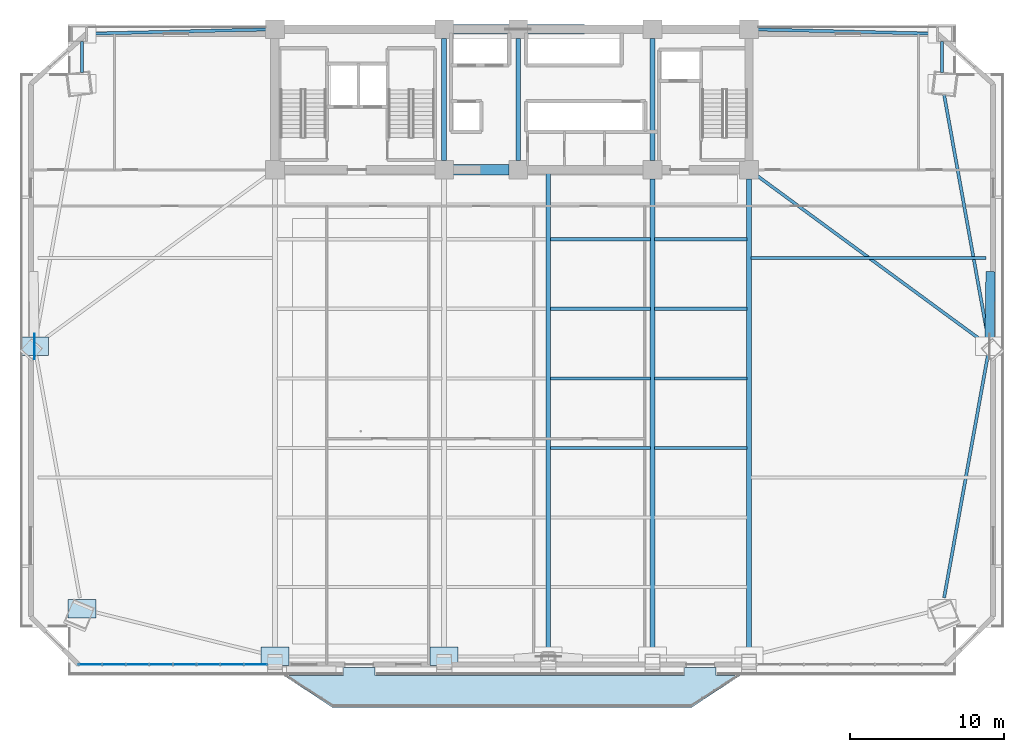
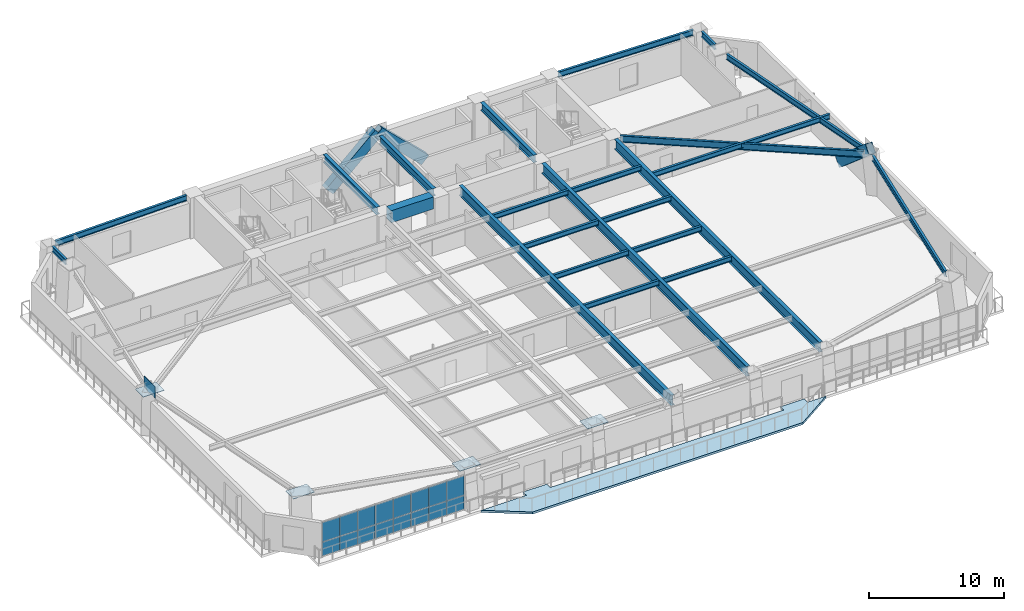
# One storey, part 6 of 16: 23 beams, 21 plates, 3 members, 1 slab, 1 element without a shape of its own.
"""IFC4 building model written with IfcOpenShell, lengths in metres."""

from ifc_helpers import new_model, si_unit, direction, frame, origin, origin_2d, place, context, subcontext, project, spatial, polyline, rectangle, hollow_rectangle, i_section, outline, extrude, source, transform, mapped, material, layer, layer_set, material_profile, profile_set, type_object, element, aggregate, save


model = new_model("IFC4")

# Units and contexts
model_context = context("Model", 3, precision=1e-05, world=origin(), true_north=direction((0.0, 1.0)))
body_context = subcontext(model_context, "Body", "Model", "MODEL_VIEW")
ifc_project = project(units=[si_unit("LENGTHUNIT", "METRE"), si_unit("AREAUNIT", "SQUARE_METRE"), si_unit("VOLUMEUNIT", "CUBIC_METRE"), si_unit("PLANEANGLEUNIT", "RADIAN"), si_unit("MASSUNIT", "GRAM", prefix="KILO")], contexts=[model_context])

# Site, building, storey
site_placement = place(None, origin())
site = spatial("IfcSite", under=ifc_project, at=site_placement, CompositionType="ELEMENT")
building_placement = place(site_placement, origin())
building = spatial("IfcBuilding", under=site, at=building_placement, Name="Giltprow Tower", CompositionType="ELEMENT")
storey_placement = place(building_placement, frame((0.0, 0.0, 83.5)))
storey = spatial("IfcBuildingStorey", under=building, at=storey_placement, Name="L20", CompositionType="ELEMENT", Elevation=83.5)

# Beams
ifc_material_1 = material(Name="Concrete C60", Category="concrete")
ifc_material_profile_1 = material_profile(ifc_material_1, rectangle(XDim=0.699951171875, YDim=1.10009765625, at=origin_2d()), Name="RC 1100x700")
ifc_profile_set_1 = profile_set([ifc_material_profile_1], Name="Concrete C60")
beam_type_1 = type_object("IfcBeamType", Name="BM-CPL-RC1100", PredefinedType="LINTEL", material=ifc_profile_set_1)
shared_shape_1 = source(origin(), body_context, "Body", "SweptSolid", [
    extrude(rectangle(XDim=0.699951171875, YDim=1.10009765625, at=origin_2d()), origin(), (0.0, 0.0, 1.0), 3.6298828125),
])
beam_1_placement = place(storey_placement, frame((31.385009765625, 37.449951171875, 3.1298828125), z_axis=(1.0, 0.0, 0.0), x_axis=(0.0, 1.0, 0.0)))
element("IfcBeam", 1, at=beam_1_placement, inside=storey, type_object=beam_type_1, Name="L20 Core Coupling Beam CB-1", PredefinedType="LINTEL", context=body_context, shape_type="MappedRepresentation", body=[
    mapped(shared_shape_1, transform((0.0, 0.0, 0.0), x_axis=(1.0, 0.0, 0.0), y_axis=(0.0, 1.0, 0.0), z_axis=(0.0, 0.0, 1.0), scale=1.0)),
])
ifc_material_2 = material(Name="Structural steel Q355B", Category="steel")
ifc_material_profile_2 = material_profile(ifc_material_2, i_section(OverallWidth=0.300048828125, OverallDepth=0.699951171875, WebThickness=0.012939453125, FlangeThickness=0.02392578125, at=origin_2d()), Name="HN 700x300x13x24")
ifc_profile_set_2 = profile_set([ifc_material_profile_2], Name="Structural steel Q355B")
beam_type_2 = type_object("IfcBeamType", Name="BM-GIRD-HN700", PredefinedType="BEAM", material=ifc_profile_set_2)
shared_shape_2 = source(origin(), body_context, "Body", "SweptSolid", [
    extrude(i_section(OverallWidth=0.300048828125, OverallDepth=0.699951171875, WebThickness=0.012939453125, FlangeThickness=0.02392578125, at=origin_2d()), origin(), (0.0, 0.0, 1.0), 7.93017578125),
])
for number, where, z_axis, x_axis, name in (
    (2, (30.800048828125, 38.034912109375, 3.330078125), (0.0, 1.0, 0.0), (-1.0, 0.0, 0.0), "L20 Core Tie Girder M1"),
    (3, (35.60009765625, 38.034912109375, 3.330078125), (0.0, 1.0, 0.0), (-1.0, 0.0, 0.0), "L20 Core Tie Girder M2"),
    (4, (44.300048828125, 38.034912109375, 3.330078125), (0.0, 1.0, 0.0), (-1.0, 0.0, 0.0), "L20 Core Tie Girder M3"),
):
    element("IfcBeam", number, at=place(storey_placement, frame(where, z_axis=z_axis, x_axis=x_axis)), inside=storey, type_object=beam_type_2, Name=name, PredefinedType="BEAM", context=body_context, shape_type="MappedRepresentation", body=[
        mapped(shared_shape_2, transform((0.0, 0.0, 0.0), x_axis=(1.0, 0.0, 0.0), y_axis=(0.0, 1.0, 0.0), z_axis=(0.0, 0.0, 1.0), scale=1.0)),
    ])
ifc_material_profile_3 = material_profile(ifc_material_2, i_section(OverallWidth=0.199951171875, OverallDepth=0.449951171875, WebThickness=0.009033203125, FlangeThickness=0.013916015625, at=origin_2d()), Name="HN 450x200x9x14")
ifc_profile_set_3 = profile_set([ifc_material_profile_3], Name="Structural steel Q355B")
beam_type_3 = type_object("IfcBeamType", Name="BM-JOIST-HN450", PredefinedType="JOIST", material=ifc_profile_set_3)
shared_shape_3 = source(origin(), body_context, "Body", "SweptSolid", [
    extrude(i_section(OverallWidth=0.199951171875, OverallDepth=0.449951171875, WebThickness=0.009033203125, FlangeThickness=0.013916015625, at=origin_2d()), origin(), (0.0, 0.0, 1.0), 6.4599609375),
])
for number, where, z_axis, x_axis, name in (
    (5, (37.695068359375, 19.44189453125, 3.455078125), (1.0, 0.0, 0.0), (0.0, 1.0, 0.0), "L20 Composite Floor Joist 3-3"),
    (6, (37.695068359375, 23.944091796875, 3.455078125), (1.0, 0.0, 0.0), (0.0, 1.0, 0.0), "L20 Composite Floor Joist 4-3"),
    (7, (37.695068359375, 28.446044921875, 3.455078125), (1.0, 0.0, 0.0), (0.0, 1.0, 0.0), "L20 Composite Floor Joist 5-3"),
    (8, (37.695068359375, 32.947998046875, 3.455078125), (1.0, 0.0, 0.0), (0.0, 1.0, 0.0), "L20 Composite Floor Joist 6-3"),
):
    element("IfcBeam", number, at=place(storey_placement, frame(where, z_axis=z_axis, x_axis=x_axis)), inside=storey, type_object=beam_type_3, Name=name, PredefinedType="JOIST", context=body_context, shape_type="MappedRepresentation", body=[
        mapped(shared_shape_3, transform((0.0, 0.0, 0.0), x_axis=(1.0, 0.0, 0.0), y_axis=(0.0, 1.0, 0.0), z_axis=(0.0, 0.0, 1.0), scale=1.0)),
    ])
shared_shape_4 = source(origin(), body_context, "Body", "SweptSolid", [
    extrude(i_section(OverallWidth=0.199951171875, OverallDepth=0.449951171875, WebThickness=0.009033203125, FlangeThickness=0.013916015625, at=origin_2d()), origin(), (0.0, 0.0, 1.0), 5.9599609375),
])
for number, where, z_axis, x_axis, name in (
    (9, (44.445068359375, 19.44189453125, 3.455078125), (1.0, 0.0, 0.0), (0.0, 1.0, 0.0), "L20 Composite Floor Joist 3-4"),
    (10, (44.445068359375, 23.944091796875, 3.455078125), (1.0, 0.0, 0.0), (0.0, 1.0, 0.0), "L20 Composite Floor Joist 4-4"),
    (11, (44.445068359375, 28.446044921875, 3.455078125), (1.0, 0.0, 0.0), (0.0, 1.0, 0.0), "L20 Composite Floor Joist 5-4"),
    (12, (44.445068359375, 32.947998046875, 3.455078125), (1.0, 0.0, 0.0), (0.0, 1.0, 0.0), "L20 Composite Floor Joist 6-4"),
):
    element("IfcBeam", number, at=place(storey_placement, frame(where, z_axis=z_axis, x_axis=x_axis)), inside=storey, type_object=beam_type_3, Name=name, PredefinedType="JOIST", context=body_context, shape_type="MappedRepresentation", body=[
        mapped(shared_shape_4, transform((0.0, 0.0, 0.0), x_axis=(1.0, 0.0, 0.0), y_axis=(0.0, 1.0, 0.0), z_axis=(0.0, 0.0, 1.0), scale=1.0)),
    ])
ifc_material_profile_4 = material_profile(ifc_material_2, i_section(OverallWidth=0.199951171875, OverallDepth=0.5, WebThickness=0.010009765625, FlangeThickness=0.01611328125, at=origin_2d()), Name="HN 500x200x10x16")
ifc_profile_set_4 = profile_set([ifc_material_profile_4], Name="Structural steel Q355B")
beam_type_4 = type_object("IfcBeamType", Name="BM-SPAN-HN500", PredefinedType="SPANDREL", material=ifc_profile_set_4)
shared_shape_5 = source(origin(), body_context, "Body", "SweptSolid", [
    extrude(i_section(OverallWidth=0.199951171875, OverallDepth=0.5, WebThickness=0.010009765625, FlangeThickness=0.01611328125, at=origin_2d()), origin(), (0.0, 0.0, 1.0), 16.0673828125),
])
beam_2_placement = place(storey_placement, frame((63.18701171875, 9.72900390625, 3.429931640625), z_axis=(0.177566852067, 0.984108740459, 0.0), x_axis=(-0.984108740459, 0.177566852067, 0.0)))
element("IfcBeam", 13, at=beam_2_placement, inside=storey, type_object=beam_type_4, Name="L20 Perimeter Spandrel Beam MC_SE-E_MID", PredefinedType="SPANDREL", context=body_context, shape_type="MappedRepresentation", body=[
    mapped(shared_shape_5, transform((0.0, 0.0, 0.0), x_axis=(1.0, 0.0, 0.0), y_axis=(0.0, 1.0, 0.0), z_axis=(0.0, 0.0, 1.0), scale=1.0)),
])
shared_shape_6 = source(origin(), body_context, "Body", "SweptSolid", [
    extrude(i_section(OverallWidth=0.199951171875, OverallDepth=0.5, WebThickness=0.010009765625, FlangeThickness=0.01611328125, at=origin_2d()), origin(), (0.0, 0.0, 1.0), 16.067138671875),
])
beam_3_placement = place(storey_placement, frame((66.0400390625, 26.4951171875, 3.429931640625), z_axis=(-0.177569507329, 0.984108261355, 0.0), x_axis=(-0.984108261355, -0.177569507329, 0.0)))
element("IfcBeam", 14, at=beam_3_placement, inside=storey, type_object=beam_type_4, Name="L20 Perimeter Spandrel Beam E_MID-MC_NE", PredefinedType="SPANDREL", context=body_context, shape_type="MappedRepresentation", body=[
    mapped(shared_shape_6, transform((0.0, 0.0, 0.0), x_axis=(1.0, 0.0, 0.0), y_axis=(0.0, 1.0, 0.0), z_axis=(0.0, 0.0, 1.0), scale=1.0)),
])
shared_shape_7 = source(origin(), body_context, "Body", "SweptSolid", [
    extrude(i_section(OverallWidth=0.199951171875, OverallDepth=0.5, WebThickness=0.010009765625, FlangeThickness=0.01611328125, at=origin_2d()), origin(), (0.0, 0.0, 1.0), 2.0),
])
for number, where, z_axis, x_axis, name in (
    (15, (63.055908203125, 43.764892578125, 3.429931640625), (0.0, 1.0, 0.0), (-1.0, 0.0, 0.0), "L20 Perimeter Spandrel Beam MC_NE-N_E"),
    (16, (7.344970703125, 45.764892578125, 3.429931640625), (0.0, -1.0, 0.0), (1.0, 0.0, 0.0), "L20 Perimeter Spandrel Beam N_W-MC_NW"),
):
    element("IfcBeam", number, at=place(storey_placement, frame(where, z_axis=z_axis, x_axis=x_axis)), inside=storey, type_object=beam_type_4, Name=name, PredefinedType="SPANDREL", context=body_context, shape_type="MappedRepresentation", body=[
        mapped(shared_shape_7, transform((0.0, 0.0, 0.0), x_axis=(1.0, 0.0, 0.0), y_axis=(0.0, 1.0, 0.0), z_axis=(0.0, 0.0, 1.0), scale=1.0)),
    ])
shared_shape_8 = source(origin(), body_context, "Body", "SweptSolid", [
    extrude(i_section(OverallWidth=0.199951171875, OverallDepth=0.5, WebThickness=0.010009765625, FlangeThickness=0.01611328125, at=origin_2d()), origin(), (0.0, 0.0, 1.0), 11.43798828125),
])
beam_4_placement = place(storey_placement, frame((7.830078125, 46.261962890625, 3.429931640625), z_axis=(0.999713192365, 0.023948549263, 0.0), x_axis=(-0.023948549263, 0.999713192365, 0.0)))
element("IfcBeam", 17, at=beam_4_placement, inside=storey, type_object=beam_type_4, Name="L20 North Wing Spandrel W", PredefinedType="SPANDREL", context=body_context, shape_type="MappedRepresentation", body=[
    mapped(shared_shape_8, transform((0.0, 0.0, 0.0), x_axis=(1.0, 0.0, 0.0), y_axis=(0.0, 1.0, 0.0), z_axis=(0.0, 0.0, 1.0), scale=1.0)),
])
shared_shape_9 = source(origin(), body_context, "Body", "SweptSolid", [
    extrude(i_section(OverallWidth=0.199951171875, OverallDepth=0.5, WebThickness=0.010009765625, FlangeThickness=0.01611328125, at=origin_2d()), origin(), (0.0, 0.0, 1.0), 11.439208984375),
])
beam_5_placement = place(storey_placement, frame((51.135009765625, 46.535888671875, 3.429931640625), z_axis=(0.999713253564, -0.023945994417, 0.0), x_axis=(0.023945994417, 0.999713253564, 0.0)))
element("IfcBeam", 18, at=beam_5_placement, inside=storey, type_object=beam_type_4, Name="L20 North Wing Spandrel E", PredefinedType="SPANDREL", context=body_context, shape_type="MappedRepresentation", body=[
    mapped(shared_shape_9, transform((0.0, 0.0, 0.0), x_axis=(1.0, 0.0, 0.0), y_axis=(0.0, 1.0, 0.0), z_axis=(0.0, 0.0, 1.0), scale=1.0)),
])
ifc_material_profile_5 = material_profile(ifc_material_2, i_section(OverallWidth=0.300048828125, OverallDepth=0.89990234375, WebThickness=0.01611328125, FlangeThickness=0.028076171875, at=origin_2d()), Name="HN 900x300x16x28")
ifc_profile_set_5 = profile_set([ifc_material_profile_5], Name="Structural steel Q355B")
beam_type_5 = type_object("IfcBeamType", Name="BM-GIRD-HN900", PredefinedType="BEAM", material=ifc_profile_set_5)
shared_shape_10 = source(origin(), body_context, "Body", "SweptSolid", [
    extrude(i_section(OverallWidth=0.300048828125, OverallDepth=0.89990234375, WebThickness=0.01611328125, FlangeThickness=0.028076171875, at=origin_2d()), origin(), (0.0, 0.0, 1.0), 30.444091796875),
])
for number, where, z_axis, x_axis, name in (
    (19, (44.300048828125, 6.4208984375, 3.22998046875), (0.0, 1.0, 0.0), (-1.0, 0.0, 0.0), "L20 Primary Lease Girder S3"),
    (20, (50.550048828125, 6.4208984375, 3.22998046875), (0.0, 1.0, 0.0), (-1.0, 0.0, 0.0), "L20 Primary Lease Girder S4"),
):
    element("IfcBeam", number, at=place(storey_placement, frame(where, z_axis=z_axis, x_axis=x_axis)), inside=storey, type_object=beam_type_5, Name=name, PredefinedType="BEAM", context=body_context, shape_type="MappedRepresentation", body=[
        mapped(shared_shape_10, transform((0.0, 0.0, 0.0), x_axis=(1.0, 0.0, 0.0), y_axis=(0.0, 1.0, 0.0), z_axis=(0.0, 0.0, 1.0), scale=1.0)),
    ])
shared_shape_11 = source(origin(), body_context, "Body", "SweptSolid", [
    extrude(i_section(OverallWidth=0.300048828125, OverallDepth=0.89990234375, WebThickness=0.01611328125, FlangeThickness=0.028076171875, at=origin_2d()), origin(), (0.0, 0.0, 1.0), 31.513916015625),
])
beam_6_placement = place(storey_placement, frame((37.550048828125, 5.93603515625, 3.22998046875), z_axis=(0.0, 1.0, 0.0), x_axis=(-1.0, 0.0, 0.0)))
element("IfcBeam", 21, at=beam_6_placement, inside=storey, type_object=beam_type_5, Name="L20 Central Lease Girder SMID", PredefinedType="BEAM", context=body_context, shape_type="MappedRepresentation", body=[
    mapped(shared_shape_11, transform((0.0, 0.0, 0.0), x_axis=(1.0, 0.0, 0.0), y_axis=(0.0, 1.0, 0.0), z_axis=(0.0, 0.0, 1.0), scale=1.0)),
])
ifc_material_profile_6 = material_profile(ifc_material_2, i_section(OverallWidth=0.199951171875, OverallDepth=0.60009765625, WebThickness=0.010986328125, FlangeThickness=0.01708984375, at=origin_2d()), Name="HN 600x200x11x17")
ifc_profile_set_6 = profile_set([ifc_material_profile_6], Name="Structural steel Q355B")
beam_type_6 = type_object("IfcBeamType", Name="BM-GIRD-HN600", PredefinedType="BEAM", material=ifc_profile_set_6)
shared_shape_12 = source(origin(), body_context, "Body", "SweptSolid", [
    extrude(i_section(OverallWidth=0.199951171875, OverallDepth=0.60009765625, WebThickness=0.010986328125, FlangeThickness=0.01708984375, at=origin_2d()), origin(), (0.0, 0.0, 1.0), 18.2509765625),
])
beam_7_placement = place(storey_placement, frame((65.735107421875, 26.304931640625, 3.3798828125), z_axis=(-0.806158265138, 0.591699967508, 0.0), x_axis=(-0.591699967508, -0.806158265138, 0.0)))
element("IfcBeam", 22, at=beam_7_placement, inside=storey, type_object=beam_type_6, Name="L20 East Wing Primary Girder", PredefinedType="BEAM", context=body_context, shape_type="MappedRepresentation", body=[
    mapped(shared_shape_12, transform((0.0, 0.0, 0.0), x_axis=(1.0, 0.0, 0.0), y_axis=(0.0, 1.0, 0.0), z_axis=(0.0, 0.0, 1.0), scale=1.0)),
])
shared_shape_13 = source(origin(), body_context, "Body", "SweptSolid", [
    extrude(i_section(OverallWidth=0.199951171875, OverallDepth=0.449951171875, WebThickness=0.009033203125, FlangeThickness=0.013916015625, at=origin_2d()), origin(), (0.0, 0.0, 1.0), 15.2109375),
])
beam_8_placement = place(storey_placement, frame((50.695068359375, 31.73388671875, 3.455078125), z_axis=(1.0, 0.0, 0.0), x_axis=(0.0, 1.0, 0.0)))
element("IfcBeam", 23, at=beam_8_placement, inside=storey, type_object=beam_type_3, Name="L20 East Wing Floor Joist 2", PredefinedType="JOIST", context=body_context, shape_type="MappedRepresentation", body=[
    mapped(shared_shape_13, transform((0.0, 0.0, 0.0), x_axis=(1.0, 0.0, 0.0), y_axis=(0.0, 1.0, 0.0), z_axis=(0.0, 0.0, 1.0), scale=1.0)),
])

# Members
ifc_material_3 = material(Name="Structural steel Q420GJC", Category="steel")
ifc_material_profile_7 = material_profile(ifc_material_3, hollow_rectangle(XDim=0.60009765625, YDim=0.89990234375, WallThickness=0.0400390625, at=origin_2d()), Name="RHS 900x600x40")
ifc_profile_set_7 = profile_set([ifc_material_profile_7], Name="Structural steel Q420GJC")
member_type = type_object("IfcMemberType", Name="MBR-MEGA-RHS900", PredefinedType="BRACE", material=ifc_profile_set_7)
shared_shape_14 = source(origin(), body_context, "Body", "SweptSolid", [
    extrude(hollow_rectangle(XDim=0.60009765625, YDim=0.89990234375, WallThickness=0.0400390625, at=origin_2d()), origin(), (0.0, 0.0, 1.0), 5.736572265625),
])
member_1_placement = place(storey_placement, frame((31.39306640625, 46.550048828125, -0.139892578125), z_axis=(0.733369227224, 0.0, 0.679830549888), x_axis=(0.0, 1.0, 0.0)))
element("IfcMember", 24, at=member_1_placement, inside=storey, type_object=member_type, Name="L20 Chevron Mega-Brace N-L", PredefinedType="BRACE", context=body_context, shape_type="MappedRepresentation", body=[
    mapped(shared_shape_14, transform((0.0, 0.0, 0.0), x_axis=(1.0, 0.0, 0.0), y_axis=(0.0, 1.0, 0.0), z_axis=(0.0, 0.0, 1.0), scale=1.0)),
])
shared_shape_15 = source(origin(), body_context, "Body", "SweptSolid", [
    extrude(hollow_rectangle(XDim=0.60009765625, YDim=0.89990234375, WallThickness=0.0400390625, at=origin_2d()), origin(), (0.0, 0.0, 1.0), 5.58154296875),
])
member_2_placement = place(storey_placement, frame((39.593017578125, 46.550048828125, -0.139892578125), z_axis=(-0.715390416498, 0.0, 0.698724947303), x_axis=(0.0, -1.0, 0.0)))
element("IfcMember", 25, at=member_2_placement, inside=storey, type_object=member_type, Name="L20 Chevron Mega-Brace N-R", PredefinedType="BRACE", context=body_context, shape_type="MappedRepresentation", body=[
    mapped(shared_shape_15, transform((0.0, 0.0, 0.0), x_axis=(1.0, 0.0, 0.0), y_axis=(0.0, 1.0, 0.0), z_axis=(0.0, 0.0, 1.0), scale=1.0)),
])
shared_shape_16 = source(origin(), body_context, "Body", "SweptSolid", [
    extrude(hollow_rectangle(XDim=0.60009765625, YDim=0.89990234375, WallThickness=0.0400390625, at=origin_2d()), origin(), (0.0, 0.0, 1.0), 5.98291015625),
])
member_3_placement = place(storey_placement, frame((66.18896484375, 30.554931640625, 0.0), z_axis=(-0.010527866597, -0.758292034762, 0.651830003944), x_axis=(0.999903635964, -0.013882319221, 0.0)))
element("IfcMember", 26, at=member_3_placement, inside=storey, type_object=member_type, Name="L20 Chevron Mega-Brace E-R", PredefinedType="BRACE", context=body_context, shape_type="MappedRepresentation", body=[
    mapped(shared_shape_16, transform((0.0, 0.0, 0.0), x_axis=(1.0, 0.0, 0.0), y_axis=(0.0, 1.0, 0.0), z_axis=(0.0, 0.0, 1.0), scale=1.0)),
])

# Slab
ifc_material_4 = material(Name="Concrete C40", Category="concrete")
ifc_layer_1 = layer(ifc_material_4, 0.199951171875, Name="Concrete C40")
ifc_layer_set_1 = layer_set([ifc_layer_1], Name="Concrete C40")
slab_type = type_object("IfcSlabType", Name="SLB-BALC-BRONZE-200", PredefinedType="FLOOR", material=ifc_layer_set_1)
slab_placement = place(storey_placement, frame((0.0, 0.0, -0.199951171875)))
element("IfcSlab", 27, at=slab_placement, inside=storey, type_object=slab_type, Name="L20 Bronze Prow Waterfront Balcony Slab", PredefinedType="FLOOR", context=body_context, shape_type="SweptSolid", body=[
    extrude(outline(polyline([(50.0, 4.708984375), (46.800048828125, 2.60888671875), (23.60009765625, 2.60888671875), (20.39990234375, 4.708984375), (24.280029296875, 4.708984375), (24.280029296875, 5.208984375), (26.320068359375, 5.208984375), (26.320068359375, 4.708984375), (46.3798828125, 4.708984375), (46.3798828125, 5.208984375), (48.419921875, 5.208984375), (48.419921875, 4.708984375), (50.0, 4.708984375)])), origin(), (0.0, 0.0, 1.0), 0.199951171875),
])

# Plates
plate_type_1 = type_object("IfcPlateType", Name="PLT-NODE-CKN1", PredefinedType="USERDEFINED", material=ifc_material_3)
shared_shape_17 = source(origin(), body_context, "Body", "SweptSolid", [
    extrude(rectangle(XDim=1.800048828125, YDim=1.199951171875, at=origin_2d()), origin(), (0.0, 0.0, 1.0), 0.044921875),
])
for number, where, z_axis, x_axis, name in (
    (28, (7.344970703125, 9.006103515625, 3.637451171875), (0.0, 0.0, 1.0), (1.0, 0.0, 0.0), "CKN1 Column Taper Splice Node L20-MC_SW"),
    (29, (19.85009765625, 5.93603515625, 3.637451171875), (0.0, 0.0, 1.0), (1.0, 0.0, 0.0), "CKN1 Column Taper Splice Node L20-S1"),
    (30, (30.800048828125, 5.93603515625, 3.637451171875), (0.0, 0.0, 1.0), (1.0, 0.0, 0.0), "CKN1 Column Taper Splice Node L20-S2"),
    (31, (4.27490234375, 26.01806640625, 3.637451171875), (0.0, 0.0, 1.0), (1.0, 0.0, 0.0), "CKN1 Column Taper Splice Node L20-W_MID"),
):
    element("IfcPlate", number, at=place(storey_placement, frame(where, z_axis=z_axis, x_axis=x_axis)), inside=storey, type_object=plate_type_1, Name=name, ObjectType="SPLICE", PredefinedType="USERDEFINED", context=body_context, shape_type="MappedRepresentation", body=[
        mapped(shared_shape_17, transform((0.0, 0.0, 0.0), x_axis=(1.0, 0.0, 0.0), y_axis=(0.0, 1.0, 0.0), z_axis=(0.0, 0.0, 1.0), scale=1.0)),
    ])
plate_type_2 = type_object("IfcPlateType", Name="PLT-NODE-MBN2", PredefinedType="USERDEFINED", material=ifc_material_3)
shared_shape_18 = source(origin(), body_context, "Body", "SweptSolid", [
    extrude(rectangle(XDim=1.64990234375, YDim=0.044921875, at=origin_2d()), origin(), (0.0, 0.0, 1.0), 1.050048828125),
])
plate_1_placement = place(storey_placement, frame((4.27490234375, 26.01806640625, 3.375), z_axis=(0.0, 0.0, 1.0), x_axis=(0.0, 1.0, 0.0)))
element("IfcPlate", 32, at=plate_1_placement, inside=storey, type_object=plate_type_2, Name="Mega-Brace Node L20-W-RB", ObjectType="GUSSET", PredefinedType="USERDEFINED", context=body_context, shape_type="MappedRepresentation", body=[
    mapped(shared_shape_18, transform((0.0, 0.0, 0.0), x_axis=(1.0, 0.0, 0.0), y_axis=(0.0, 1.0, 0.0), z_axis=(0.0, 0.0, 1.0), scale=1.0)),
])

# Curtain wall, plates
ifc_material_5 = material(Name="Anodized bronze", Category="metal")
ifc_layer_2 = layer(ifc_material_5, 0.179931640625, Name="Anodized bronze")
ifc_layer_set_2 = layer_set([ifc_layer_2], Name="Anodized bronze")
curtain_wall_type = type_object("IfcCurtainWallType", Name="CW-OFF-RECESSED", PredefinedType="NOTDEFINED", material=ifc_layer_set_2)
curtain_wall_placement = place(storey_placement, origin())
curtain_wall = element("IfcCurtainWall", 33, at=curtain_wall_placement, inside=storey, type_object=curtain_wall_type, Name="L20 South Recessed Curtain Wall 1", PredefinedType="NOTDEFINED")
ifc_material_6 = material(Name="Insulated glass", Category="glass")
plate_type_3 = type_object("IfcPlateType", Name="CW-PANEL-IGU-28", PredefinedType="CURTAIN_PANEL", material=ifc_material_6)
shared_shape_19 = source(origin(), body_context, "Body", "SweptSolid", [
    extrude(rectangle(XDim=1.4970703125, YDim=0.028076171875, at=origin_2d()), origin(), (0.0, 0.0, 1.0), 1.259033203125),
])
plate_2_placement = place(storey_placement, frame((7.89892578125, 5.408935546875, 0.0546875), z_axis=(0.0, 0.0, 1.0), x_axis=(1.0, 0.0, 0.0)))
plate_2 = element("IfcPlate", 34, at=plate_2_placement, type_object=plate_type_3, Name="L20 South Recessed Curtain Wall 1 Glazing Panel 1-1", PredefinedType="CURTAIN_PANEL", context=body_context, shape_type="MappedRepresentation", body=[
    mapped(shared_shape_19, transform((0.0, 0.0, 0.0), x_axis=(1.0, 0.0, 0.0), y_axis=(0.0, 1.0, 0.0), z_axis=(0.0, 0.0, 1.0), scale=1.0)),
])
plate_3_placement = place(storey_placement, frame((9.426025390625, 5.408935546875, 0.0546875), z_axis=(0.0, 0.0, 1.0), x_axis=(1.0, 0.0, 0.0)))
plate_3 = element("IfcPlate", 35, at=plate_3_placement, type_object=plate_type_3, Name="L20 South Recessed Curtain Wall 1 Glazing Panel 2-1", PredefinedType="CURTAIN_PANEL", context=body_context, shape_type="MappedRepresentation", body=[
    mapped(shared_shape_19, transform((0.0, 0.0, 0.0), x_axis=(1.0, 0.0, 0.0), y_axis=(0.0, 1.0, 0.0), z_axis=(0.0, 0.0, 1.0), scale=1.0)),
])
plate_4_placement = place(storey_placement, frame((10.952880859375, 5.408935546875, 0.0546875), z_axis=(0.0, 0.0, 1.0), x_axis=(1.0, 0.0, 0.0)))
plate_4 = element("IfcPlate", 36, at=plate_4_placement, type_object=plate_type_3, Name="L20 South Recessed Curtain Wall 1 Glazing Panel 3-1", PredefinedType="CURTAIN_PANEL", context=body_context, shape_type="MappedRepresentation", body=[
    mapped(shared_shape_19, transform((0.0, 0.0, 0.0), x_axis=(1.0, 0.0, 0.0), y_axis=(0.0, 1.0, 0.0), z_axis=(0.0, 0.0, 1.0), scale=1.0)),
])
plate_5_placement = place(storey_placement, frame((12.47998046875, 5.408935546875, 0.0546875), z_axis=(0.0, 0.0, 1.0), x_axis=(1.0, 0.0, 0.0)))
plate_5 = element("IfcPlate", 37, at=plate_5_placement, type_object=plate_type_3, Name="L20 South Recessed Curtain Wall 1 Glazing Panel 4-1", PredefinedType="CURTAIN_PANEL", context=body_context, shape_type="MappedRepresentation", body=[
    mapped(shared_shape_19, transform((0.0, 0.0, 0.0), x_axis=(1.0, 0.0, 0.0), y_axis=(0.0, 1.0, 0.0), z_axis=(0.0, 0.0, 1.0), scale=1.0)),
])
plate_6_placement = place(storey_placement, frame((14.006103515625, 5.408935546875, 0.0546875), z_axis=(0.0, 0.0, 1.0), x_axis=(1.0, 0.0, 0.0)))
plate_6 = element("IfcPlate", 38, at=plate_6_placement, type_object=plate_type_3, Name="L20 South Recessed Curtain Wall 1 Glazing Panel 5-1", PredefinedType="CURTAIN_PANEL", context=body_context, shape_type="MappedRepresentation", body=[
    mapped(shared_shape_19, transform((0.0, 0.0, 0.0), x_axis=(1.0, 0.0, 0.0), y_axis=(0.0, 1.0, 0.0), z_axis=(0.0, 0.0, 1.0), scale=1.0)),
])
plate_7_placement = place(storey_placement, frame((15.532958984375, 5.408935546875, 0.0546875), z_axis=(0.0, 0.0, 1.0), x_axis=(1.0, 0.0, 0.0)))
plate_7 = element("IfcPlate", 39, at=plate_7_placement, type_object=plate_type_3, Name="L20 South Recessed Curtain Wall 1 Glazing Panel 6-1", PredefinedType="CURTAIN_PANEL", context=body_context, shape_type="MappedRepresentation", body=[
    mapped(shared_shape_19, transform((0.0, 0.0, 0.0), x_axis=(1.0, 0.0, 0.0), y_axis=(0.0, 1.0, 0.0), z_axis=(0.0, 0.0, 1.0), scale=1.0)),
])
plate_8_placement = place(storey_placement, frame((17.06005859375, 5.408935546875, 0.0546875), z_axis=(0.0, 0.0, 1.0), x_axis=(1.0, 0.0, 0.0)))
plate_8 = element("IfcPlate", 40, at=plate_8_placement, type_object=plate_type_3, Name="L20 South Recessed Curtain Wall 1 Glazing Panel 7-1", PredefinedType="CURTAIN_PANEL", context=body_context, shape_type="MappedRepresentation", body=[
    mapped(shared_shape_19, transform((0.0, 0.0, 0.0), x_axis=(1.0, 0.0, 0.0), y_axis=(0.0, 1.0, 0.0), z_axis=(0.0, 0.0, 1.0), scale=1.0)),
])
plate_9_placement = place(storey_placement, frame((18.5869140625, 5.408935546875, 0.0546875), z_axis=(0.0, 0.0, 1.0), x_axis=(1.0, 0.0, 0.0)))
plate_9 = element("IfcPlate", 41, at=plate_9_placement, type_object=plate_type_3, Name="L20 South Recessed Curtain Wall 1 Glazing Panel 8-1", PredefinedType="CURTAIN_PANEL", context=body_context, shape_type="MappedRepresentation", body=[
    mapped(shared_shape_19, transform((0.0, 0.0, 0.0), x_axis=(1.0, 0.0, 0.0), y_axis=(0.0, 1.0, 0.0), z_axis=(0.0, 0.0, 1.0), scale=1.0)),
])
shared_shape_20 = source(origin(), body_context, "Body", "SweptSolid", [
    extrude(rectangle(XDim=1.4970703125, YDim=0.028076171875, at=origin_2d()), origin(), (0.0, 0.0, 1.0), 1.764892578125),
])
plate_10_placement = place(storey_placement, frame((7.89892578125, 5.408935546875, 1.341796875), z_axis=(0.0, 0.0, 1.0), x_axis=(1.0, 0.0, 0.0)))
plate_10 = element("IfcPlate", 42, at=plate_10_placement, type_object=plate_type_3, Name="L20 South Recessed Curtain Wall 1 Glazing Panel 1-2", PredefinedType="CURTAIN_PANEL", context=body_context, shape_type="MappedRepresentation", body=[
    mapped(shared_shape_20, transform((0.0, 0.0, 0.0), x_axis=(1.0, 0.0, 0.0), y_axis=(0.0, 1.0, 0.0), z_axis=(0.0, 0.0, 1.0), scale=1.0)),
])
plate_11_placement = place(storey_placement, frame((9.426025390625, 5.408935546875, 1.341796875), z_axis=(0.0, 0.0, 1.0), x_axis=(1.0, 0.0, 0.0)))
plate_11 = element("IfcPlate", 43, at=plate_11_placement, type_object=plate_type_3, Name="L20 South Recessed Curtain Wall 1 Glazing Panel 2-2", PredefinedType="CURTAIN_PANEL", context=body_context, shape_type="MappedRepresentation", body=[
    mapped(shared_shape_20, transform((0.0, 0.0, 0.0), x_axis=(1.0, 0.0, 0.0), y_axis=(0.0, 1.0, 0.0), z_axis=(0.0, 0.0, 1.0), scale=1.0)),
])
plate_12_placement = place(storey_placement, frame((10.952880859375, 5.408935546875, 1.341796875), z_axis=(0.0, 0.0, 1.0), x_axis=(1.0, 0.0, 0.0)))
plate_12 = element("IfcPlate", 44, at=plate_12_placement, type_object=plate_type_3, Name="L20 South Recessed Curtain Wall 1 Glazing Panel 3-2", PredefinedType="CURTAIN_PANEL", context=body_context, shape_type="MappedRepresentation", body=[
    mapped(shared_shape_20, transform((0.0, 0.0, 0.0), x_axis=(1.0, 0.0, 0.0), y_axis=(0.0, 1.0, 0.0), z_axis=(0.0, 0.0, 1.0), scale=1.0)),
])
plate_13_placement = place(storey_placement, frame((12.47998046875, 5.408935546875, 1.341796875), z_axis=(0.0, 0.0, 1.0), x_axis=(1.0, 0.0, 0.0)))
plate_13 = element("IfcPlate", 45, at=plate_13_placement, type_object=plate_type_3, Name="L20 South Recessed Curtain Wall 1 Glazing Panel 4-2", PredefinedType="CURTAIN_PANEL", context=body_context, shape_type="MappedRepresentation", body=[
    mapped(shared_shape_20, transform((0.0, 0.0, 0.0), x_axis=(1.0, 0.0, 0.0), y_axis=(0.0, 1.0, 0.0), z_axis=(0.0, 0.0, 1.0), scale=1.0)),
])
plate_14_placement = place(storey_placement, frame((14.006103515625, 5.408935546875, 1.341796875), z_axis=(0.0, 0.0, 1.0), x_axis=(1.0, 0.0, 0.0)))
plate_14 = element("IfcPlate", 46, at=plate_14_placement, type_object=plate_type_3, Name="L20 South Recessed Curtain Wall 1 Glazing Panel 5-2", PredefinedType="CURTAIN_PANEL", context=body_context, shape_type="MappedRepresentation", body=[
    mapped(shared_shape_20, transform((0.0, 0.0, 0.0), x_axis=(1.0, 0.0, 0.0), y_axis=(0.0, 1.0, 0.0), z_axis=(0.0, 0.0, 1.0), scale=1.0)),
])
plate_15_placement = place(storey_placement, frame((15.532958984375, 5.408935546875, 1.341796875), z_axis=(0.0, 0.0, 1.0), x_axis=(1.0, 0.0, 0.0)))
plate_15 = element("IfcPlate", 47, at=plate_15_placement, type_object=plate_type_3, Name="L20 South Recessed Curtain Wall 1 Glazing Panel 6-2", PredefinedType="CURTAIN_PANEL", context=body_context, shape_type="MappedRepresentation", body=[
    mapped(shared_shape_20, transform((0.0, 0.0, 0.0), x_axis=(1.0, 0.0, 0.0), y_axis=(0.0, 1.0, 0.0), z_axis=(0.0, 0.0, 1.0), scale=1.0)),
])
plate_16_placement = place(storey_placement, frame((17.06005859375, 5.408935546875, 1.341796875), z_axis=(0.0, 0.0, 1.0), x_axis=(1.0, 0.0, 0.0)))
plate_16 = element("IfcPlate", 48, at=plate_16_placement, type_object=plate_type_3, Name="L20 South Recessed Curtain Wall 1 Glazing Panel 7-2", PredefinedType="CURTAIN_PANEL", context=body_context, shape_type="MappedRepresentation", body=[
    mapped(shared_shape_20, transform((0.0, 0.0, 0.0), x_axis=(1.0, 0.0, 0.0), y_axis=(0.0, 1.0, 0.0), z_axis=(0.0, 0.0, 1.0), scale=1.0)),
])
plate_17_placement = place(storey_placement, frame((18.5869140625, 5.408935546875, 1.341796875), z_axis=(0.0, 0.0, 1.0), x_axis=(1.0, 0.0, 0.0)))
plate_17 = element("IfcPlate", 49, at=plate_17_placement, type_object=plate_type_3, Name="L20 South Recessed Curtain Wall 1 Glazing Panel 8-2", PredefinedType="CURTAIN_PANEL", context=body_context, shape_type="MappedRepresentation", body=[
    mapped(shared_shape_20, transform((0.0, 0.0, 0.0), x_axis=(1.0, 0.0, 0.0), y_axis=(0.0, 1.0, 0.0), z_axis=(0.0, 0.0, 1.0), scale=1.0)),
])
aggregate(curtain_wall, [plate_2, plate_10, plate_3, plate_11, plate_4, plate_12, plate_5, plate_13, plate_6, plate_14, plate_7, plate_15, plate_8, plate_16, plate_9, plate_17])

save(model, "model.ifc")
